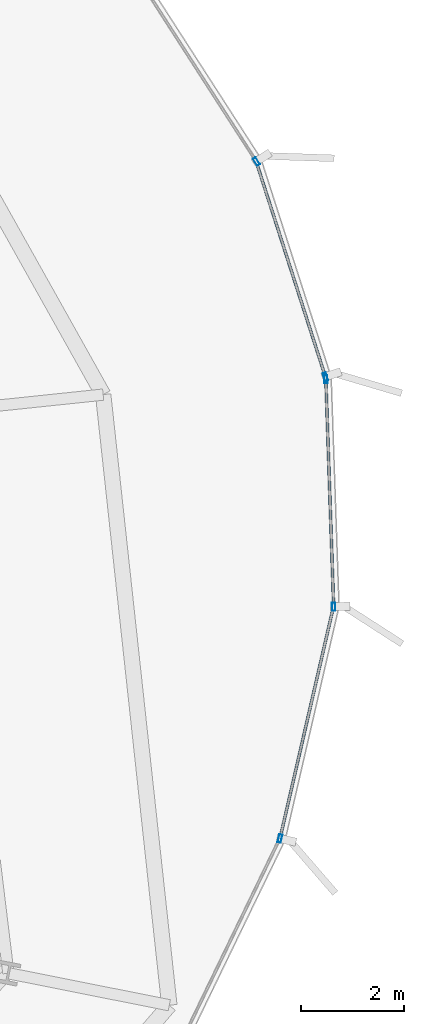
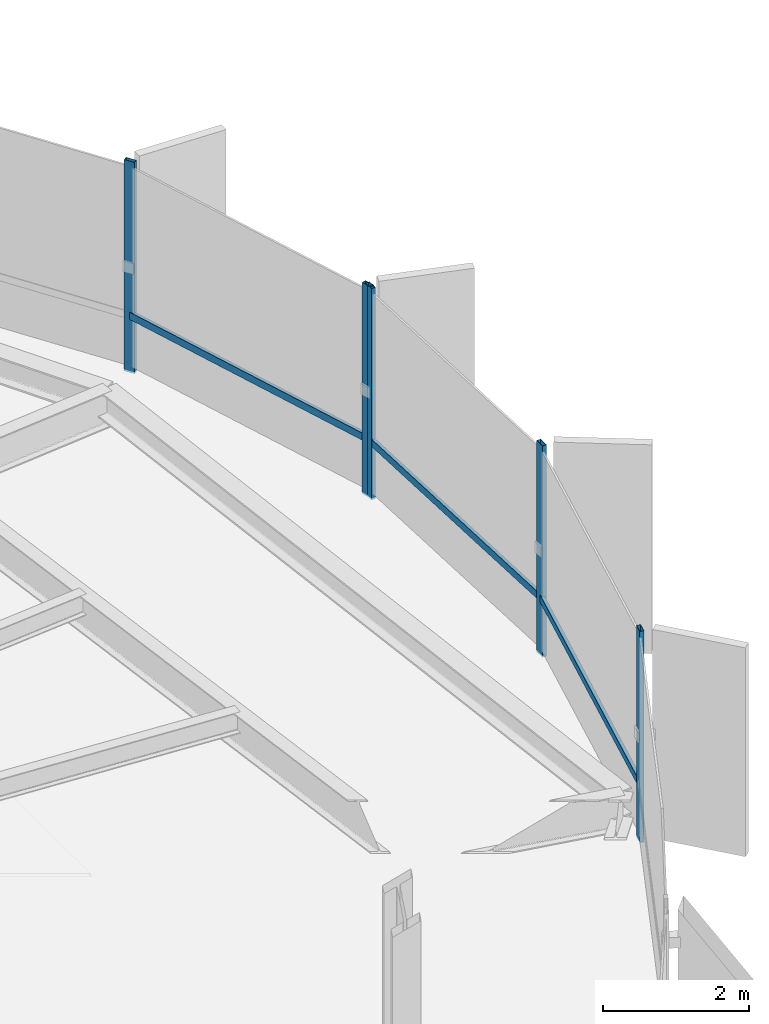
# One storey, part 27 of 35: 8 members, 2 elements without a shape of their own.
"""IFC4 building model written with IfcOpenShell, lengths in metres."""

from ifc_helpers import new_model, si_unit, direction, frame, origin, origin_2d, place, context, subcontext, project, spatial, hollow_rectangle, extrude, source, transform, mapped, material, layer, layer_set, material_profile, profile_set, type_object, element, aggregate, save


model = new_model("IFC4")

# Units and contexts
model_context = context("Model", 3, precision=1e-05, world=origin(), true_north=direction((0.0, 1.0)))
body_context = subcontext(model_context, "Body", "Model", "MODEL_VIEW")
ifc_project = project(units=[si_unit("LENGTHUNIT", "METRE"), si_unit("AREAUNIT", "SQUARE_METRE"), si_unit("VOLUMEUNIT", "CUBIC_METRE"), si_unit("PLANEANGLEUNIT", "RADIAN"), si_unit("MASSUNIT", "GRAM", prefix="KILO"), si_unit("THERMODYNAMICTEMPERATUREUNIT", "KELVIN")], contexts=[model_context])

# Site, building, storey
site_placement = place(None, origin())
site = spatial("IfcSite", under=ifc_project, at=site_placement, CompositionType="ELEMENT")
building_placement = place(site_placement, origin())
building = spatial("IfcBuilding", under=site, at=building_placement, Name="Kethvar Cultural Tower", CompositionType="ELEMENT")
storey_placement = place(building_placement, frame((0.0, 0.0, 71.39990234375)))
storey = spatial("IfcBuildingStorey", under=building, at=storey_placement, Name="L17", CompositionType="ELEMENT", Elevation=71.39990234375)

# Curtain wall, members
ifc_material = material(Name="Aluminium 6063-T6", Category="aluminium")
ifc_layer = layer(ifc_material, 0.179931640625, Name="Aluminium 6063-T6", Category="aluminium")
ifc_layer_set = layer_set([ifc_layer], Name="Aluminium 6063-T6 (180 mm)")
curtain_wall_type = type_object("IfcCurtainWallType", Name="CW-SYS-02-Z1", PredefinedType="NOTDEFINED", material=ifc_layer_set)
curtain_wall_1_placement = place(storey_placement, origin())
curtain_wall_1 = element("IfcCurtainWall", 1, at=curtain_wall_1_placement, inside=storey, type_object=curtain_wall_type, Name="L17 Curtain Wall Run 01", PredefinedType="NOTDEFINED")
ifc_material_profile_1 = material_profile(ifc_material, hollow_rectangle(XDim=0.06494140625, YDim=0.159912109375, WallThickness=0.0048828125, at=origin_2d()), Name="Aluminium 6063-T6 — RHS160x65x5")
ifc_profile_set_1 = profile_set([ifc_material_profile_1], Name="Aluminium 6063-T6 — RHS160x65x5")
member_type_1 = type_object("IfcMemberType", Name="CW-SYS-02-Z1-MUL", PredefinedType="MULLION", material=ifc_profile_set_1)
shared_shape_1 = source(origin(), body_context, "Body", "SweptSolid", [
    extrude(hollow_rectangle(XDim=0.06494140625, YDim=0.159912109375, WallThickness=0.0048828125, at=origin_2d()), origin(), (0.0, 0.0, 1.0), 3.5400390625),
])
member_1_placement = place(storey_placement, frame((81.172607421875, 33.82470703125, 0.0), z_axis=(0.0, 0.0, 1.0), x_axis=(-0.951963856311, -0.306210411771, 0.0)))
member_1 = element("IfcMember", 2, at=member_1_placement, type_object=member_type_1, Name="CW-L17-R01 Mullion 1", PredefinedType="MULLION", context=body_context, shape_type="MappedRepresentation", body=[
    mapped(shared_shape_1, transform((0.0, 0.0, 0.0), scale=1.0)),
])
member_2_placement = place(storey_placement, frame((79.8271484375, 38.021240234375, 0.0), z_axis=(0.0, 0.0, 1.0), x_axis=(-0.840698942687, -0.541502804946, 0.0)))
member_2 = element("IfcMember", 3, at=member_2_placement, type_object=member_type_1, Name="CW-L17-R01 Mullion 2", PredefinedType="MULLION", context=body_context, shape_type="MappedRepresentation", body=[
    mapped(shared_shape_1, transform((0.0, 0.0, 0.0), scale=1.0)),
])

curtain_wall_2_placement = place(storey_placement, origin())
curtain_wall_2 = element("IfcCurtainWall", 4, at=curtain_wall_2_placement, inside=storey, type_object=curtain_wall_type, Name="L17 Curtain Wall Run 06", PredefinedType="NOTDEFINED")
member_3_placement = place(storey_placement, frame((80.28759765625, 24.820068359375, 0.0), z_axis=(0.0, 0.0, 1.0), x_axis=(-0.974425001609, 0.22471296411, 0.0)))
member_3 = element("IfcMember", 5, at=member_3_placement, type_object=member_type_1, Name="CW-L17-R06 Mullion 5", PredefinedType="MULLION", context=body_context, shape_type="MappedRepresentation", body=[
    mapped(shared_shape_1, transform((0.0, 0.0, 0.0), scale=1.0)),
])
member_4_placement = place(storey_placement, frame((81.333984375, 29.339599609375, 0.0), z_axis=(0.0, 0.0, 1.0), x_axis=(-0.999409563184, -0.034358769147, 0.0)))
member_4 = element("IfcMember", 6, at=member_4_placement, type_object=member_type_1, Name="CW-L17-R06 Mullion 6", PredefinedType="MULLION", context=body_context, shape_type="MappedRepresentation", body=[
    mapped(shared_shape_1, transform((0.0, 0.0, 0.0), scale=1.0)),
])
member_5_placement = place(storey_placement, frame((81.181396484375, 33.77490234375, 0.0), z_axis=(0.0, 0.0, 1.0), x_axis=(-0.999409563184, -0.034358769147, 0.0)))
member_5 = element("IfcMember", 7, at=member_5_placement, type_object=member_type_1, Name="CW-L17-R06 Mullion 7", PredefinedType="MULLION", context=body_context, shape_type="MappedRepresentation", body=[
    mapped(shared_shape_1, transform((0.0, 0.0, 0.0), scale=1.0)),
])

# Member
ifc_material_profile_2 = material_profile(ifc_material, hollow_rectangle(XDim=0.054931640625, YDim=0.1201171875, WallThickness=0.00390625, at=origin_2d()), Name="Aluminium 6063-T6 — RHS120x55x4")
ifc_profile_set_2 = profile_set([ifc_material_profile_2], Name="Aluminium 6063-T6 — RHS120x55x4")
member_type_2 = type_object("IfcMemberType", Name="CW-SYS-02-Z1-TRN", PredefinedType="USERDEFINED", material=ifc_profile_set_2)
shared_shape_2 = source(origin(), body_context, "Body", "SweptSolid", [
    extrude(hollow_rectangle(XDim=0.054931640625, YDim=0.1201171875, WallThickness=0.00390625, at=origin_2d()), origin(), (0.0, 0.0, 1.0), 4.386474609375),
])
member_6_placement = place(storey_placement, frame((81.17138671875, 33.8291015625, 0.9501953125), z_axis=(-0.306225366578, 0.951959045792, 0.0), x_axis=(-0.951959045792, -0.306225366578, 0.0)))
member_6 = element("IfcMember", 8, at=member_6_placement, type_object=member_type_2, Name="CW-L17-R01 Transom 1", ObjectType="TRANSOM", PredefinedType="USERDEFINED", context=body_context, shape_type="MappedRepresentation", body=[
    mapped(shared_shape_2, transform((0.0, 0.0, 0.0), scale=1.0)),
])

aggregate(curtain_wall_1, [member_1, member_2, member_6])

member_7_placement = place(storey_placement, frame((81.332275390625, 29.386474609375, 0.9501953125), z_axis=(-0.034341505157, 0.999410156554, 0.0), x_axis=(-0.999410156554, -0.034341505157, 0.0)))
member_7 = element("IfcMember", 9, at=member_7_placement, type_object=member_type_2, Name="CW-L17-R06 Transom 6", ObjectType="TRANSOM", PredefinedType="USERDEFINED", context=body_context, shape_type="MappedRepresentation", body=[
    mapped(shared_shape_2, transform((0.0, 0.0, 0.0), scale=1.0)),
])

shared_shape_3 = source(origin(), body_context, "Body", "SweptSolid", [
    extrude(hollow_rectangle(XDim=0.054931640625, YDim=0.1201171875, WallThickness=0.00390625, at=origin_2d()), origin(), (0.0, 0.0, 1.0), 4.57666015625),
])
member_8_placement = place(storey_placement, frame((80.298095703125, 24.865478515625, 0.9501953125), z_axis=(0.224684187682, 0.974431637318, 0.0), x_axis=(-0.974431637318, 0.224684187682, 0.0)))
member_8 = element("IfcMember", 10, at=member_8_placement, type_object=member_type_2, Name="CW-L17-R06 Transom 5", ObjectType="TRANSOM", PredefinedType="USERDEFINED", context=body_context, shape_type="MappedRepresentation", body=[
    mapped(shared_shape_3, transform((0.0, 0.0, 0.0), scale=1.0)),
])

aggregate(curtain_wall_2, [member_3, member_4, member_5, member_8, member_7])

save(model, "model.ifc")
